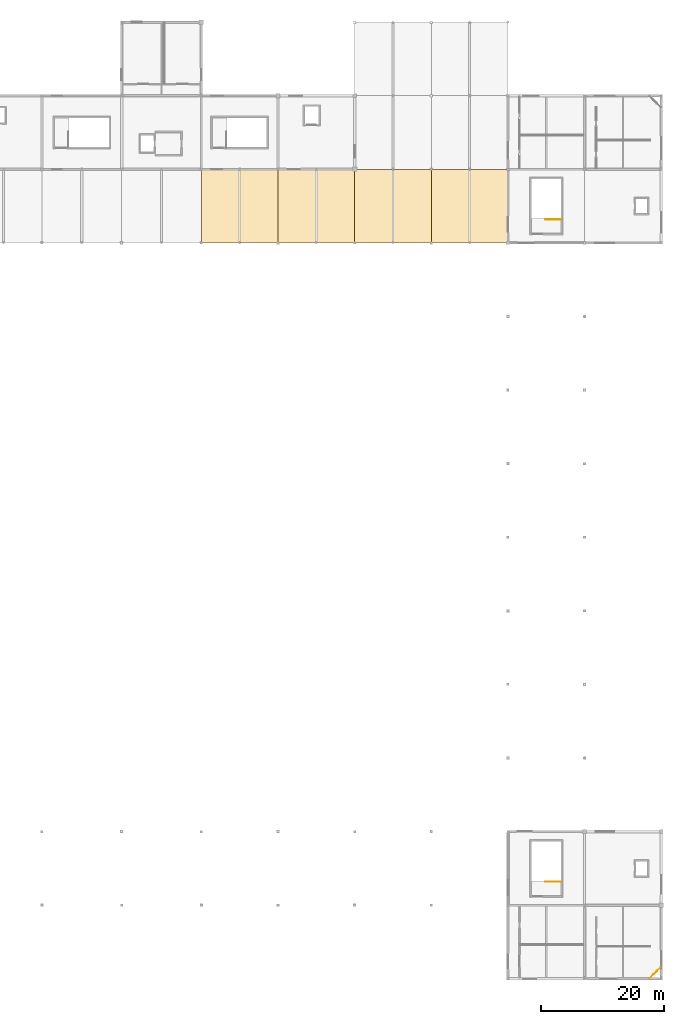
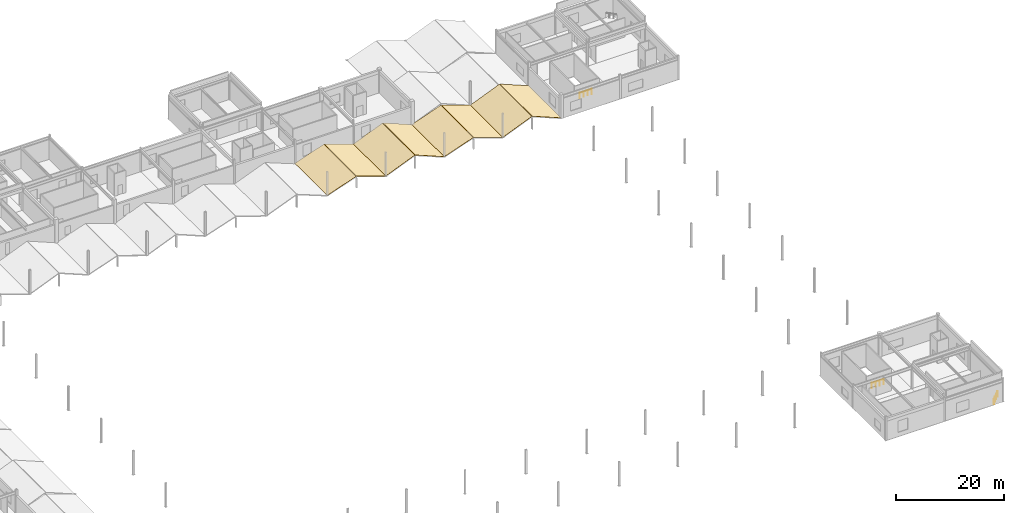
# One storey, part 74 of 76: 8 coverings, 3 railings.
"""IFC4 building model written with IfcOpenShell, lengths in metres."""

from ifc_helpers import new_model, si_unit, direction, frame, origin, origin_2d, place, context, subcontext, project, spatial, polyline, circle, outline, extrude, material, layer, layer_set, type_object, element, save


model = new_model("IFC4")

# Units and contexts
model_context = context("Model", 3, precision=1e-05, world=origin(), true_north=direction((0.0, 1.0)))
body_context = subcontext(model_context, "Body", "Model", "MODEL_VIEW")
ifc_project = project(units=[si_unit("LENGTHUNIT", "METRE"), si_unit("AREAUNIT", "SQUARE_METRE"), si_unit("VOLUMEUNIT", "CUBIC_METRE"), si_unit("PLANEANGLEUNIT", "RADIAN"), si_unit("MASSUNIT", "GRAM", prefix="KILO")], contexts=[model_context])

# Site, building, storey
site_placement = place(None, origin())
site = spatial("IfcSite", under=ifc_project, at=site_placement, CompositionType="ELEMENT")
building_placement = place(site_placement, origin())
building = spatial("IfcBuilding", under=site, at=building_placement, Name="Kazenohara Klinker Stadium", CompositionType="ELEMENT")
storey_placement = place(building_placement, frame((0.0, 0.0, 25.800048828125)))
storey = spatial("IfcBuildingStorey", under=building, at=storey_placement, Name="L05", CompositionType="ELEMENT", Elevation=25.800048828125)

# Coverings
ifc_material_1 = material(Name="Insulated standing-seam copper roofing", Category="metal")
ifc_layer_1 = layer(ifc_material_1, 0.050048828125)
ifc_layer_set_1 = layer_set([ifc_layer_1], Name="Insulated standing-seam copper roofing")
covering_type = type_object("IfcCoveringType", Name="COV-ROOF-01", PredefinedType="ROOFING", material=ifc_layer_set_1)
for number, where, z_axis, x_axis, name in (
    (1, (125.0, 132.0, -0.030029296875), (-0.327622925614, 0.0, 0.944808561886), (0.944808561886, 0.0, 0.327622925614), "Standing-seam copper stepped wing roofing L05-A 11/M"),
    (2, (131.300048828125, 132.0, 2.119873046875), (0.327622925614, 0.0, 0.944808561886), (0.944808561886, 0.0, -0.327622925614), "Standing-seam copper stepped wing roofing L05-B 11/M"),
):
    element("IfcCovering", number, at=place(storey_placement, frame(where, z_axis=z_axis, x_axis=x_axis)), inside=storey, type_object=covering_type, Name=name, PredefinedType="ROOFING", context=body_context, shape_type="SweptSolid", body=[
        extrude(outline(polyline([(0.0, 0.0), (6.5621242461032345, 0.0), (6.5621242461032345, 12.0), (0.0, 12.0), (0.0, 0.0)])), origin(), (0.0, 0.0, -1.0), 0.050048828125),
    ])
for number, where, z_axis, x_axis, name in (
    (3, (137.5, 132.0, -0.030029296875), (-0.380383442935, 0.0, 0.924828868678), (0.924828868678, 0.0, 0.380383442935), "Standing-seam copper stepped wing roofing L05-A 12/M"),
    (4, (143.800048828125, 132.0, 2.52001953125), (0.380383442935, 0.0, 0.924828868678), (0.924828868678, 0.0, -0.380383442935), "Standing-seam copper stepped wing roofing L05-B 12/M"),
):
    element("IfcCovering", number, at=place(storey_placement, frame(where, z_axis=z_axis, x_axis=x_axis)), inside=storey, type_object=covering_type, Name=name, PredefinedType="ROOFING", context=body_context, shape_type="SweptSolid", body=[
        extrude(outline(polyline([(0.0, 0.0), (6.703890181040846, 0.0), (6.703890181040846, 12.0), (0.0, 12.0), (0.0, 0.0)])), origin(), (0.0, 0.0, -1.0), 0.050048828125),
    ])
for number, where, z_axis, x_axis, name in (
    (5, (150.0, 132.0, -0.030029296875), (-0.327622925614, 0.0, 0.944808561886), (0.944808561886, 0.0, 0.327622925614), "Standing-seam copper stepped wing roofing L05-A 13/M"),
    (6, (156.300048828125, 132.0, 2.119873046875), (0.327622925614, 0.0, 0.944808561886), (0.944808561886, 0.0, -0.327622925614), "Standing-seam copper stepped wing roofing L05-B 13/M"),
):
    element("IfcCovering", number, at=place(storey_placement, frame(where, z_axis=z_axis, x_axis=x_axis)), inside=storey, type_object=covering_type, Name=name, PredefinedType="ROOFING", context=body_context, shape_type="SweptSolid", body=[
        extrude(outline(polyline([(0.0, 0.0), (6.5621242461032345, 0.0), (6.5621242461032345, 12.0), (0.0, 12.0), (0.0, 0.0)])), origin(), (0.0, 0.0, -1.0), 0.050048828125),
    ])
for number, where, z_axis, x_axis, name in (
    (7, (162.5, 132.0, -0.030029296875), (-0.380383442935, 0.0, 0.924828868678), (0.924828868678, 0.0, 0.380383442935), "Standing-seam copper stepped wing roofing L05-A 14/M"),
    (8, (168.800048828125, 132.0, 2.52001953125), (0.380383442935, 0.0, 0.924828868678), (0.924828868678, 0.0, -0.380383442935), "Standing-seam copper stepped wing roofing L05-B 14/M"),
):
    element("IfcCovering", number, at=place(storey_placement, frame(where, z_axis=z_axis, x_axis=x_axis)), inside=storey, type_object=covering_type, Name=name, PredefinedType="ROOFING", context=body_context, shape_type="SweptSolid", body=[
        extrude(outline(polyline([(0.0, 0.0), (6.703890181040846, 0.0), (6.703890181040846, 12.0), (0.0, 12.0), (0.0, 0.0)])), origin(), (0.0, 0.0, -1.0), 0.050048828125),
    ])

# Railings
ifc_material_2 = material(Name="Galvanised powder-coated steel guardrail", Category="steel")
ifc_layer_2 = layer(ifc_material_2, 0.070068359375)
ifc_layer_set_2 = layer_set([ifc_layer_2], Name="Galvanised powder-coated steel guardrail")
railing_type_1 = type_object("IfcRailingType", Name="RL-GRD-1150", PredefinedType="GUARDRAIL", material=ifc_layer_set_2)
railing_placement = place(storey_placement, frame((198.1201171875, 12.080078125, 0.0)))
element("IfcRailing", 9, at=railing_placement, inside=storey, type_object=railing_type_1, Name="Corner chamfer slab-edge guardrail GR01-SLB-L05-15-01", PredefinedType="GUARDRAIL", context=body_context, shape_type="SweptSolid", body=[
    extrude(circle(Radius=0.02392578125, at=origin_2d()), frame((0.0, 0.0, 1.1259765625), z_axis=(0.707106781187, 0.707106781187, 0.0), x_axis=(-0.707106781187, 0.707106781187, 0.0)), (0.0, 0.0, 1.0), 2.54541015625),
    extrude(circle(Radius=0.02099609375, at=origin_2d()), origin(), (0.0, 0.0, 1.0), 1.101806640625),
    extrude(circle(Radius=0.02099609375, at=origin_2d()), frame((0.599853515625, 0.599853515625, 0.0)), (0.0, 0.0, 1.0), 1.101806640625),
    extrude(circle(Radius=0.02099609375, at=origin_2d()), frame((1.199951171875, 1.199951171875, 0.0)), (0.0, 0.0, 1.0), 1.101806640625),
    extrude(circle(Radius=0.02099609375, at=origin_2d()), frame((1.7998046875, 1.7998046875, 0.0)), (0.0, 0.0, 1.0), 1.101806640625),
])
ifc_material_3 = material(Name="Painted steel stairwell guardrail", Category="steel")
ifc_layer_3 = layer(ifc_material_3, 0.06005859375)
ifc_layer_set_3 = layer_set([ifc_layer_3], Name="Painted steel stairwell guardrail")
railing_type_2 = type_object("IfcRailingType", Name="RL-STG-1120", PredefinedType="GUARDRAIL", material=ifc_layer_set_3)
for number, where, name in (
    (10, (183.68994140625, 135.830078125, 0.0), "L05 ST12 top well guard 1"),
    (11, (183.68994140625, 27.830078125, 0.0), "L05 ST16 top well guard 1"),
):
    element("IfcRailing", number, at=place(storey_placement, frame(where)), inside=storey, type_object=railing_type_2, Name=name, PredefinedType="GUARDRAIL", context=body_context, shape_type="SweptSolid", body=[
        extrude(circle(Radius=0.02392578125, at=origin_2d()), frame((0.0, 0.0, 1.1259765625), z_axis=(-1.0, 0.0, 0.0), x_axis=(0.0, -1.0, 0.0)), (0.0, 0.0, 1.0), 2.5400390625),
        extrude(circle(Radius=0.02099609375, at=origin_2d()), origin(), (0.0, 0.0, 1.0), 1.101806640625),
        extrude(circle(Radius=0.02099609375, at=origin_2d()), frame((-0.8466796875, 0.0, 0.0)), (0.0, 0.0, 1.0), 1.101806640625),
        extrude(circle(Radius=0.02099609375, at=origin_2d()), frame((-1.693359375, 0.0, 0.0)), (0.0, 0.0, 1.0), 1.101806640625),
        extrude(circle(Radius=0.02099609375, at=origin_2d()), frame((-2.5400390625, 0.0, 0.0)), (0.0, 0.0, 1.0), 1.101806640625),
    ])

save(model, "model.ifc")
